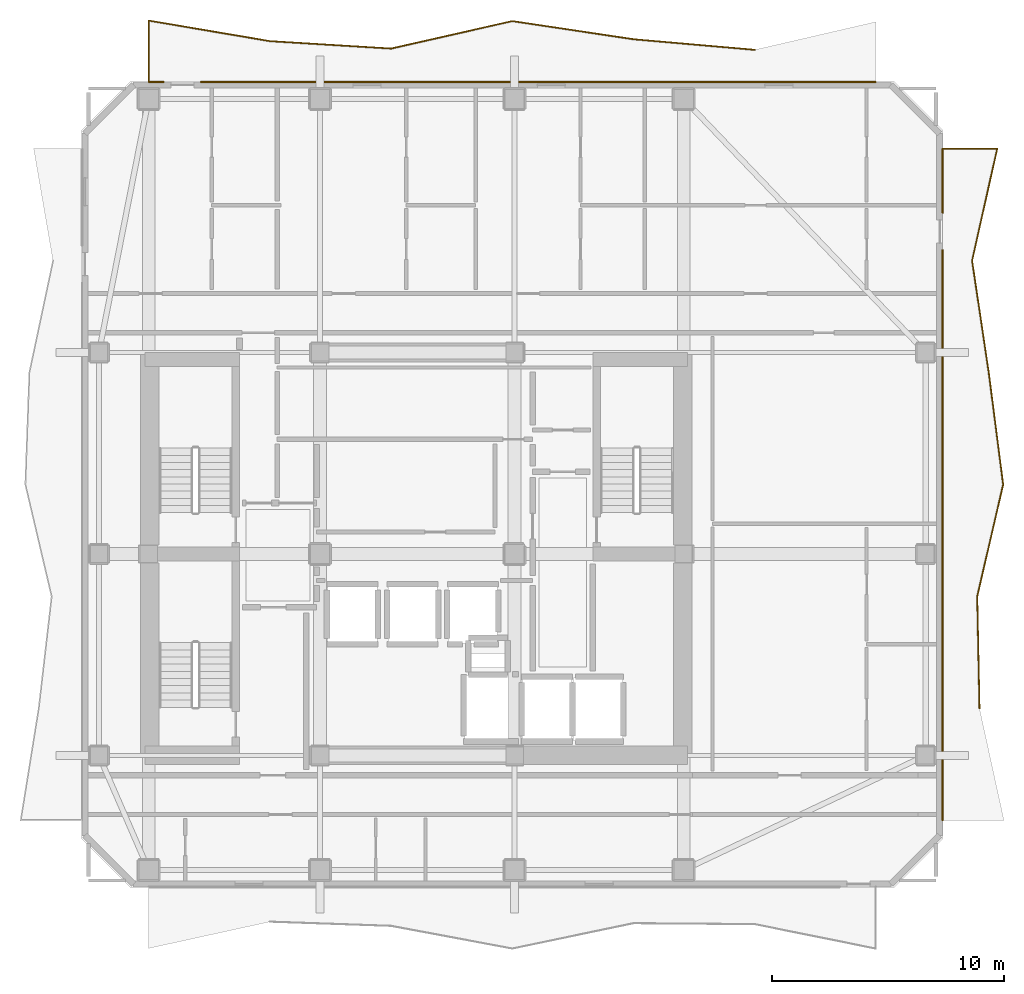
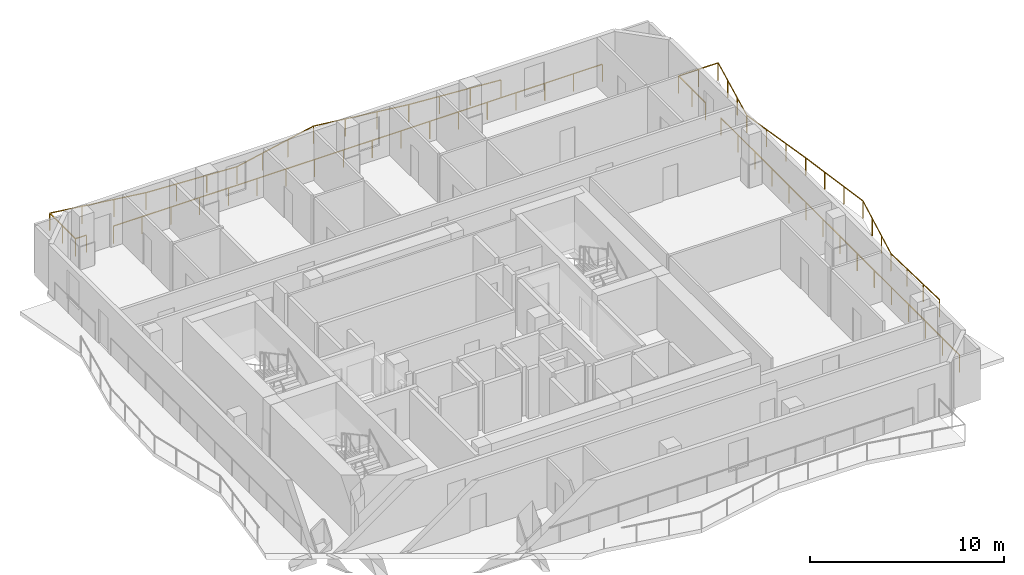
# One storey, part 9 of 9: 4 railings.
"""IFC4 building model written with IfcOpenShell, lengths in metres."""

from ifc_helpers import new_model, si_unit, direction, frame, origin, origin_2d, place, context, subcontext, project, spatial, rectangle, extrude, material, type_object, element, save


model = new_model("IFC4")

# Units and contexts
model_context = context("Model", 3, precision=1e-05, world=origin(), true_north=direction((0.0, 1.0)))
body_context = subcontext(model_context, "Body", "Model", "MODEL_VIEW")
ifc_project = project(units=[si_unit("LENGTHUNIT", "METRE"), si_unit("AREAUNIT", "SQUARE_METRE"), si_unit("VOLUMEUNIT", "CUBIC_METRE"), si_unit("PLANEANGLEUNIT", "RADIAN"), si_unit("MASSUNIT", "GRAM", prefix="KILO")], contexts=[model_context])

# Site, building, storey
site_placement = place(None, origin())
site = spatial("IfcSite", under=ifc_project, at=site_placement, CompositionType="ELEMENT")
building_placement = place(site_placement, origin())
building = spatial("IfcBuilding", under=site, at=building_placement, Name="Solanera Arch Residences", CompositionType="ELEMENT")
storey_placement = place(building_placement, frame((0.0, 0.0, 244.56005859375)))
storey = spatial("IfcBuildingStorey", under=building, at=storey_placement, Name="L71", CompositionType="ELEMENT", Elevation=244.56005859375)

# Railings
ifc_material = material(Name="Steel S355 (ASTM A992 / A572 Grade 50)", Category="steel")
railing_type = type_object("IfcRailingType", Name="Balustrade Railing BL-1100", PredefinedType="BALUSTRADE", material=ifc_material)
railing_1_placement = place(storey_placement, frame((39.56689453125, 52.470947265625, 0.0)))
element("IfcRailing", 1, at=railing_1_placement, inside=storey, type_object=railing_type, Name="L71 N Balcony Balustrade 1", PredefinedType="BALUSTRADE", context=body_context, shape_type="SweptSolid", body=[
    extrude(rectangle(XDim=0.048095703125, YDim=0.048095703125, at=origin_2d()), frame((0.0, 0.0, 1.09619140625), z_axis=(-0.99619301132, 0.087175020489, 0.0), x_axis=(-0.087175020489, -0.99619301132, 0.0)), (0.0, 0.0, 1.0), 5.25390625),
    extrude(rectangle(XDim=0.048095703125, YDim=0.048095703125, at=origin_2d()), frame((-5.23388671875, 0.4580078125, 1.09619140625), z_axis=(-0.988991113283, 0.147974923033, 0.0), x_axis=(-0.147974923033, -0.988991113283, 0.0)), (0.0, 0.0, 1.0), 5.291259765625),
    extrude(rectangle(XDim=0.048095703125, YDim=0.048095703125, at=origin_2d()), frame((-10.466796875, 1.240966796875, 1.09619140625), z_axis=(-0.975227068654, -0.221206158516, 0.0), x_axis=(0.221206158516, -0.975227068654, 0.0)), (0.0, 0.0, 1.0), 5.365966796875),
    extrude(rectangle(XDim=0.048095703125, YDim=0.048095703125, at=origin_2d()), frame((-15.699951171875, 0.053955078125, 1.09619140625), z_axis=(-0.99811261636, 0.061410138118, 0.0), x_axis=(-0.061410138118, -0.99811261636, 0.0)), (0.0, 0.0, 1.0), 5.243896484375),
    extrude(rectangle(XDim=0.048095703125, YDim=0.048095703125, at=origin_2d()), frame((-20.933837890625, 0.3759765625, 1.09619140625), z_axis=(-0.985938942971, 0.167105956604, 0.0), x_axis=(-0.167105956604, -0.985938942971, 0.0)), (0.0, 0.0, 1.0), 5.307861328125),
    extrude(rectangle(XDim=0.048095703125, YDim=0.048095703125, at=origin_2d()), frame((-26.1669921875, 1.262939453125, 1.09619140625), z_axis=(0.0, -1.0, 0.0), x_axis=(1.0, 0.0, 0.0)), (0.0, 0.0, 1.0), 2.65380859375),
    extrude(rectangle(XDim=0.048095703125, YDim=0.048095703125, at=origin_2d()), frame((-26.1669921875, -1.390869140625, 1.09619140625), z_axis=(1.0, 0.0, 0.0), x_axis=(0.0, 1.0, 0.0)), (0.0, 0.0, 1.0), 0.655029296875),
    extrude(rectangle(XDim=0.0419921875, YDim=0.0419921875, at=origin_2d()), origin(), (0.0, 0.0, 1.0), 1.072021484375),
    extrude(rectangle(XDim=0.0419921875, YDim=0.0419921875, at=origin_2d()), frame((-1.74462890625, 0.152587890625, 0.0)), (0.0, 0.0, 1.0), 1.072021484375),
    extrude(rectangle(XDim=0.0419921875, YDim=0.0419921875, at=origin_2d()), frame((-3.4892578125, 0.305419921875, 0.0)), (0.0, 0.0, 1.0), 1.072021484375),
    extrude(rectangle(XDim=0.0419921875, YDim=0.0419921875, at=origin_2d()), frame((-5.23388671875, 0.4580078125, 0.0)), (0.0, 0.0, 1.0), 1.072021484375),
    extrude(rectangle(XDim=0.0419921875, YDim=0.0419921875, at=origin_2d()), frame((-6.978271484375, 0.718994140625, 0.0)), (0.0, 0.0, 1.0), 1.072021484375),
    extrude(rectangle(XDim=0.0419921875, YDim=0.0419921875, at=origin_2d()), frame((-8.722412109375, 0.97998046875, 0.0)), (0.0, 0.0, 1.0), 1.072021484375),
    extrude(rectangle(XDim=0.0419921875, YDim=0.0419921875, at=origin_2d()), frame((-10.466796875, 1.240966796875, 0.0)), (0.0, 0.0, 1.0), 1.072021484375),
    extrude(rectangle(XDim=0.0419921875, YDim=0.0419921875, at=origin_2d()), frame((-12.211181640625, 0.84521484375, 0.0)), (0.0, 0.0, 1.0), 1.072021484375),
    extrude(rectangle(XDim=0.0419921875, YDim=0.0419921875, at=origin_2d()), frame((-13.95556640625, 0.44970703125, 0.0)), (0.0, 0.0, 1.0), 1.072021484375),
    extrude(rectangle(XDim=0.0419921875, YDim=0.0419921875, at=origin_2d()), frame((-15.699951171875, 0.053955078125, 0.0)), (0.0, 0.0, 1.0), 1.072021484375),
    extrude(rectangle(XDim=0.0419921875, YDim=0.0419921875, at=origin_2d()), frame((-17.444580078125, 0.161376953125, 0.0)), (0.0, 0.0, 1.0), 1.072021484375),
    extrude(rectangle(XDim=0.0419921875, YDim=0.0419921875, at=origin_2d()), frame((-19.189208984375, 0.2685546875, 0.0)), (0.0, 0.0, 1.0), 1.072021484375),
    extrude(rectangle(XDim=0.0419921875, YDim=0.0419921875, at=origin_2d()), frame((-20.933837890625, 0.3759765625, 0.0)), (0.0, 0.0, 1.0), 1.072021484375),
    extrude(rectangle(XDim=0.0419921875, YDim=0.0419921875, at=origin_2d()), frame((-22.67822265625, 0.671630859375, 0.0)), (0.0, 0.0, 1.0), 1.072021484375),
    extrude(rectangle(XDim=0.0419921875, YDim=0.0419921875, at=origin_2d()), frame((-24.422607421875, 0.96728515625, 0.0)), (0.0, 0.0, 1.0), 1.072021484375),
    extrude(rectangle(XDim=0.0419921875, YDim=0.0419921875, at=origin_2d()), frame((-26.1669921875, 1.262939453125, 0.0)), (0.0, 0.0, 1.0), 1.072021484375),
    extrude(rectangle(XDim=0.0419921875, YDim=0.0419921875, at=origin_2d()), frame((-26.1669921875, -0.06396484375, 0.0)), (0.0, 0.0, 1.0), 1.072021484375),
    extrude(rectangle(XDim=0.0419921875, YDim=0.0419921875, at=origin_2d()), frame((-26.1669921875, -1.390869140625, 0.0)), (0.0, 0.0, 1.0), 1.072021484375),
    extrude(rectangle(XDim=0.0419921875, YDim=0.0419921875, at=origin_2d()), frame((-25.511962890625, -1.390869140625, 0.0)), (0.0, 0.0, 1.0), 1.072021484375),
])
railing_2_placement = place(storey_placement, frame((15.655029296875, 51.080078125, 0.0)))
element("IfcRailing", 2, at=railing_2_placement, inside=storey, type_object=railing_type, Name="L71 N Balcony Balustrade 2", PredefinedType="BALUSTRADE", context=body_context, shape_type="SweptSolid", body=[
    extrude(rectangle(XDim=0.048095703125, YDim=0.048095703125, at=origin_2d()), frame((0.0, 0.0, 1.09619140625), z_axis=(1.0, 0.0, 0.0), x_axis=(0.0, 1.0, 0.0)), (0.0, 0.0, 1.0), 29.14501953125),
    extrude(rectangle(XDim=0.0419921875, YDim=0.0419921875, at=origin_2d()), origin(), (0.0, 0.0, 1.0), 1.072021484375),
    extrude(rectangle(XDim=0.0419921875, YDim=0.0419921875, at=origin_2d()), frame((1.71435546875, 0.0, 0.0)), (0.0, 0.0, 1.0), 1.072021484375),
    extrude(rectangle(XDim=0.0419921875, YDim=0.0419921875, at=origin_2d()), frame((3.4287109375, 0.0, 0.0)), (0.0, 0.0, 1.0), 1.072021484375),
    extrude(rectangle(XDim=0.0419921875, YDim=0.0419921875, at=origin_2d()), frame((5.143310546875, 0.0, 0.0)), (0.0, 0.0, 1.0), 1.072021484375),
    extrude(rectangle(XDim=0.0419921875, YDim=0.0419921875, at=origin_2d()), frame((6.857666015625, 0.0, 0.0)), (0.0, 0.0, 1.0), 1.072021484375),
    extrude(rectangle(XDim=0.0419921875, YDim=0.0419921875, at=origin_2d()), frame((8.572021484375, 0.0, 0.0)), (0.0, 0.0, 1.0), 1.072021484375),
    extrude(rectangle(XDim=0.0419921875, YDim=0.0419921875, at=origin_2d()), frame((10.286376953125, 0.0, 0.0)), (0.0, 0.0, 1.0), 1.072021484375),
    extrude(rectangle(XDim=0.0419921875, YDim=0.0419921875, at=origin_2d()), frame((12.0009765625, 0.0, 0.0)), (0.0, 0.0, 1.0), 1.072021484375),
    extrude(rectangle(XDim=0.0419921875, YDim=0.0419921875, at=origin_2d()), frame((13.71533203125, 0.0, 0.0)), (0.0, 0.0, 1.0), 1.072021484375),
    extrude(rectangle(XDim=0.0419921875, YDim=0.0419921875, at=origin_2d()), frame((15.4296875, 0.0, 0.0)), (0.0, 0.0, 1.0), 1.072021484375),
    extrude(rectangle(XDim=0.0419921875, YDim=0.0419921875, at=origin_2d()), frame((17.14404296875, 0.0, 0.0)), (0.0, 0.0, 1.0), 1.072021484375),
    extrude(rectangle(XDim=0.0419921875, YDim=0.0419921875, at=origin_2d()), frame((18.858642578125, 0.0, 0.0)), (0.0, 0.0, 1.0), 1.072021484375),
    extrude(rectangle(XDim=0.0419921875, YDim=0.0419921875, at=origin_2d()), frame((20.572998046875, 0.0, 0.0)), (0.0, 0.0, 1.0), 1.072021484375),
    extrude(rectangle(XDim=0.0419921875, YDim=0.0419921875, at=origin_2d()), frame((22.287353515625, 0.0, 0.0)), (0.0, 0.0, 1.0), 1.072021484375),
    extrude(rectangle(XDim=0.0419921875, YDim=0.0419921875, at=origin_2d()), frame((24.001708984375, 0.0, 0.0)), (0.0, 0.0, 1.0), 1.072021484375),
    extrude(rectangle(XDim=0.0419921875, YDim=0.0419921875, at=origin_2d()), frame((25.71630859375, 0.0, 0.0)), (0.0, 0.0, 1.0), 1.072021484375),
    extrude(rectangle(XDim=0.0419921875, YDim=0.0419921875, at=origin_2d()), frame((27.4306640625, 0.0, 0.0)), (0.0, 0.0, 1.0), 1.072021484375),
    extrude(rectangle(XDim=0.0419921875, YDim=0.0419921875, at=origin_2d()), frame((29.14501953125, 0.0, 0.0)), (0.0, 0.0, 1.0), 1.072021484375),
])
railing_3_placement = place(storey_placement, frame((49.277099609375, 24.032958984375, 0.0)))
element("IfcRailing", 3, at=railing_3_placement, inside=storey, type_object=railing_type, Name="L71 E Balcony Balustrade 1", PredefinedType="BALUSTRADE", context=body_context, shape_type="SweptSolid", body=[
    extrude(rectangle(XDim=0.048095703125, YDim=0.048095703125, at=origin_2d()), frame((0.0, 0.0, 1.09619140625), z_axis=(-0.020298847009, 0.999793957178, 0.0), x_axis=(-0.999793957178, -0.020298847009, 0.0)), (0.0, 0.0, 1.0), 4.8349609375),
    extrude(rectangle(XDim=0.048095703125, YDim=0.048095703125, at=origin_2d()), frame((-0.09814453125, 4.833984375, 1.09619140625), z_axis=(0.225779483894, 0.974178435736, 0.0), x_axis=(-0.974178435736, 0.225779483894, 0.0)), (0.0, 0.0, 1.0), 4.961181640625),
    extrude(rectangle(XDim=0.048095703125, YDim=0.048095703125, at=origin_2d()), frame((1.02197265625, 9.6669921875, 1.09619140625), z_axis=(-0.127659745447, 0.991818022317, 0.0), x_axis=(-0.991818022317, -0.127659745447, 0.0)), (0.0, 0.0, 1.0), 4.872802734375),
    extrude(rectangle(XDim=0.048095703125, YDim=0.048095703125, at=origin_2d()), frame((0.39990234375, 14.5, 1.09619140625), z_axis=(-0.147314422449, 0.989089713291, 0.0), x_axis=(-0.989089713291, -0.147314422449, 0.0)), (0.0, 0.0, 1.0), 4.88720703125),
    extrude(rectangle(XDim=0.048095703125, YDim=0.048095703125, at=origin_2d()), frame((-0.320068359375, 19.333984375, 1.09619140625), z_axis=(0.219038342307, 0.975716252094, 0.0), x_axis=(-0.975716252094, 0.219038342307, 0.0)), (0.0, 0.0, 1.0), 4.953369140625),
    extrude(rectangle(XDim=0.048095703125, YDim=0.048095703125, at=origin_2d()), frame((0.764892578125, 24.1669921875, 1.09619140625), z_axis=(-1.0, 0.0, 0.0), x_axis=(0.0, -1.0, 0.0)), (0.0, 0.0, 1.0), 2.362060546875),
    extrude(rectangle(XDim=0.048095703125, YDim=0.048095703125, at=origin_2d()), frame((-1.59716796875, 24.1669921875, 1.09619140625), z_axis=(0.0, -1.0, 0.0), x_axis=(1.0, 0.0, 0.0)), (0.0, 0.0, 1.0), 2.77392578125),
    extrude(rectangle(XDim=0.0419921875, YDim=0.0419921875, at=origin_2d()), origin(), (0.0, 0.0, 1.0), 1.072021484375),
    extrude(rectangle(XDim=0.0419921875, YDim=0.0419921875, at=origin_2d()), frame((-0.03271484375, 1.611328125, 0.0)), (0.0, 0.0, 1.0), 1.072021484375),
    extrude(rectangle(XDim=0.0419921875, YDim=0.0419921875, at=origin_2d()), frame((-0.0654296875, 3.22265625, 0.0)), (0.0, 0.0, 1.0), 1.072021484375),
    extrude(rectangle(XDim=0.0419921875, YDim=0.0419921875, at=origin_2d()), frame((-0.09814453125, 4.833984375, 0.0)), (0.0, 0.0, 1.0), 1.072021484375),
    extrude(rectangle(XDim=0.0419921875, YDim=0.0419921875, at=origin_2d()), frame((0.275146484375, 6.445068359375, 0.0)), (0.0, 0.0, 1.0), 1.072021484375),
    extrude(rectangle(XDim=0.0419921875, YDim=0.0419921875, at=origin_2d()), frame((0.648681640625, 8.055908203125, 0.0)), (0.0, 0.0, 1.0), 1.072021484375),
    extrude(rectangle(XDim=0.0419921875, YDim=0.0419921875, at=origin_2d()), frame((1.02197265625, 9.6669921875, 0.0)), (0.0, 0.0, 1.0), 1.072021484375),
    extrude(rectangle(XDim=0.0419921875, YDim=0.0419921875, at=origin_2d()), frame((0.814697265625, 11.278076171875, 0.0)), (0.0, 0.0, 1.0), 1.072021484375),
    extrude(rectangle(XDim=0.0419921875, YDim=0.0419921875, at=origin_2d()), frame((0.607177734375, 12.888916015625, 0.0)), (0.0, 0.0, 1.0), 1.072021484375),
    extrude(rectangle(XDim=0.0419921875, YDim=0.0419921875, at=origin_2d()), frame((0.39990234375, 14.5, 0.0)), (0.0, 0.0, 1.0), 1.072021484375),
    extrude(rectangle(XDim=0.0419921875, YDim=0.0419921875, at=origin_2d()), frame((0.159912109375, 16.111328125, 0.0)), (0.0, 0.0, 1.0), 1.072021484375),
    extrude(rectangle(XDim=0.0419921875, YDim=0.0419921875, at=origin_2d()), frame((-0.080078125, 17.72265625, 0.0)), (0.0, 0.0, 1.0), 1.072021484375),
    extrude(rectangle(XDim=0.0419921875, YDim=0.0419921875, at=origin_2d()), frame((-0.320068359375, 19.333984375, 0.0)), (0.0, 0.0, 1.0), 1.072021484375),
    extrude(rectangle(XDim=0.0419921875, YDim=0.0419921875, at=origin_2d()), frame((0.04150390625, 20.945068359375, 0.0)), (0.0, 0.0, 1.0), 1.072021484375),
    extrude(rectangle(XDim=0.0419921875, YDim=0.0419921875, at=origin_2d()), frame((0.4033203125, 22.555908203125, 0.0)), (0.0, 0.0, 1.0), 1.072021484375),
    extrude(rectangle(XDim=0.0419921875, YDim=0.0419921875, at=origin_2d()), frame((0.764892578125, 24.1669921875, 0.0)), (0.0, 0.0, 1.0), 1.072021484375),
    extrude(rectangle(XDim=0.0419921875, YDim=0.0419921875, at=origin_2d()), frame((-0.416015625, 24.1669921875, 0.0)), (0.0, 0.0, 1.0), 1.072021484375),
    extrude(rectangle(XDim=0.0419921875, YDim=0.0419921875, at=origin_2d()), frame((-1.59716796875, 24.1669921875, 0.0)), (0.0, 0.0, 1.0), 1.072021484375),
    extrude(rectangle(XDim=0.0419921875, YDim=0.0419921875, at=origin_2d()), frame((-1.59716796875, 22.780029296875, 0.0)), (0.0, 0.0, 1.0), 1.072021484375),
    extrude(rectangle(XDim=0.0419921875, YDim=0.0419921875, at=origin_2d()), frame((-1.59716796875, 21.39306640625, 0.0)), (0.0, 0.0, 1.0), 1.072021484375),
])
railing_4_placement = place(storey_placement, frame((47.679931640625, 43.825927734375, 0.0)))
element("IfcRailing", 4, at=railing_4_placement, inside=storey, type_object=railing_type, Name="L71 E Balcony Balustrade 2", PredefinedType="BALUSTRADE", context=body_context, shape_type="SweptSolid", body=[
    extrude(rectangle(XDim=0.048095703125, YDim=0.048095703125, at=origin_2d()), frame((0.0, 0.0, 1.09619140625), z_axis=(0.0, -1.0, 0.0), x_axis=(1.0, 0.0, 0.0)), (0.0, 0.0, 1.0), 24.6259765625),
    extrude(rectangle(XDim=0.0419921875, YDim=0.0419921875, at=origin_2d()), origin(), (0.0, 0.0, 1.0), 1.072021484375),
    extrude(rectangle(XDim=0.0419921875, YDim=0.0419921875, at=origin_2d()), frame((0.0, -1.759033203125, 0.0)), (0.0, 0.0, 1.0), 1.072021484375),
    extrude(rectangle(XDim=0.0419921875, YDim=0.0419921875, at=origin_2d()), frame((0.0, -3.51806640625, 0.0)), (0.0, 0.0, 1.0), 1.072021484375),
    extrude(rectangle(XDim=0.0419921875, YDim=0.0419921875, at=origin_2d()), frame((0.0, -5.277099609375, 0.0)), (0.0, 0.0, 1.0), 1.072021484375),
    extrude(rectangle(XDim=0.0419921875, YDim=0.0419921875, at=origin_2d()), frame((0.0, -7.035888671875, 0.0)), (0.0, 0.0, 1.0), 1.072021484375),
    extrude(rectangle(XDim=0.0419921875, YDim=0.0419921875, at=origin_2d()), frame((0.0, -8.794921875, 0.0)), (0.0, 0.0, 1.0), 1.072021484375),
    extrude(rectangle(XDim=0.0419921875, YDim=0.0419921875, at=origin_2d()), frame((0.0, -10.553955078125, 0.0)), (0.0, 0.0, 1.0), 1.072021484375),
    extrude(rectangle(XDim=0.0419921875, YDim=0.0419921875, at=origin_2d()), frame((0.0, -12.31298828125, 0.0)), (0.0, 0.0, 1.0), 1.072021484375),
    extrude(rectangle(XDim=0.0419921875, YDim=0.0419921875, at=origin_2d()), frame((0.0, -14.072021484375, 0.0)), (0.0, 0.0, 1.0), 1.072021484375),
    extrude(rectangle(XDim=0.0419921875, YDim=0.0419921875, at=origin_2d()), frame((0.0, -15.8310546875, 0.0)), (0.0, 0.0, 1.0), 1.072021484375),
    extrude(rectangle(XDim=0.0419921875, YDim=0.0419921875, at=origin_2d()), frame((0.0, -17.590087890625, 0.0)), (0.0, 0.0, 1.0), 1.072021484375),
    extrude(rectangle(XDim=0.0419921875, YDim=0.0419921875, at=origin_2d()), frame((0.0, -19.348876953125, 0.0)), (0.0, 0.0, 1.0), 1.072021484375),
    extrude(rectangle(XDim=0.0419921875, YDim=0.0419921875, at=origin_2d()), frame((0.0, -21.10791015625, 0.0)), (0.0, 0.0, 1.0), 1.072021484375),
    extrude(rectangle(XDim=0.0419921875, YDim=0.0419921875, at=origin_2d()), frame((0.0, -22.866943359375, 0.0)), (0.0, 0.0, 1.0), 1.072021484375),
    extrude(rectangle(XDim=0.0419921875, YDim=0.0419921875, at=origin_2d()), frame((0.0, -24.6259765625, 0.0)), (0.0, 0.0, 1.0), 1.072021484375),
])

save(model, "model.ifc")
